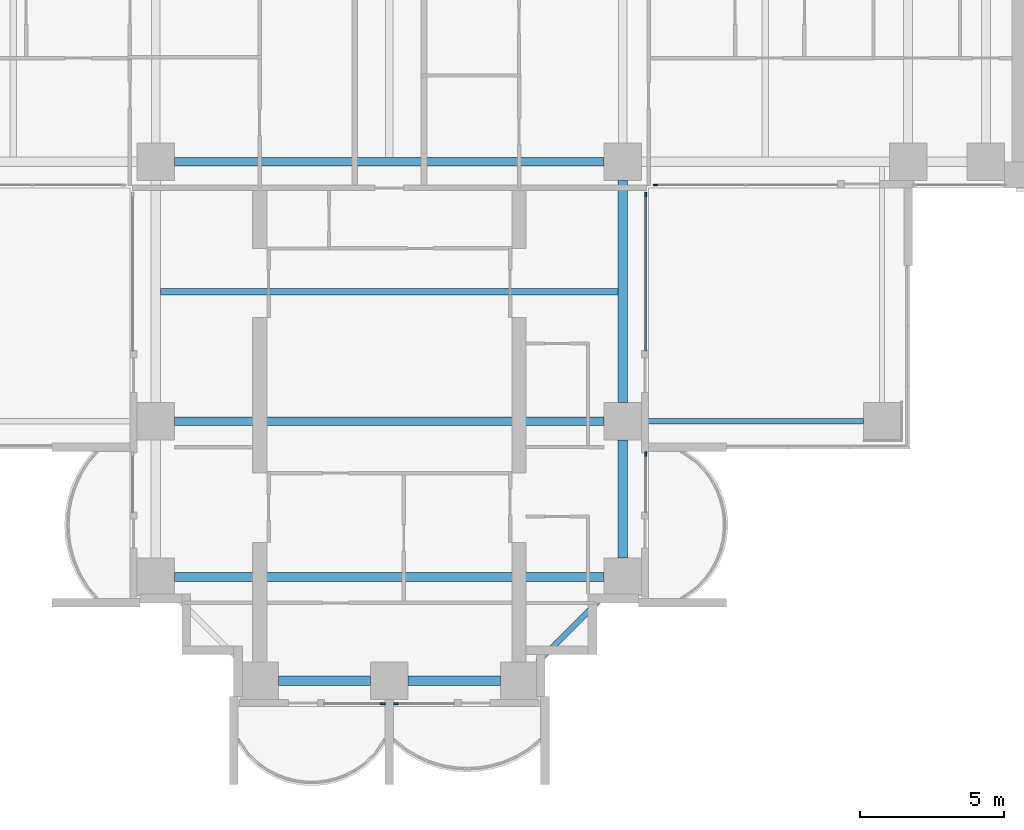
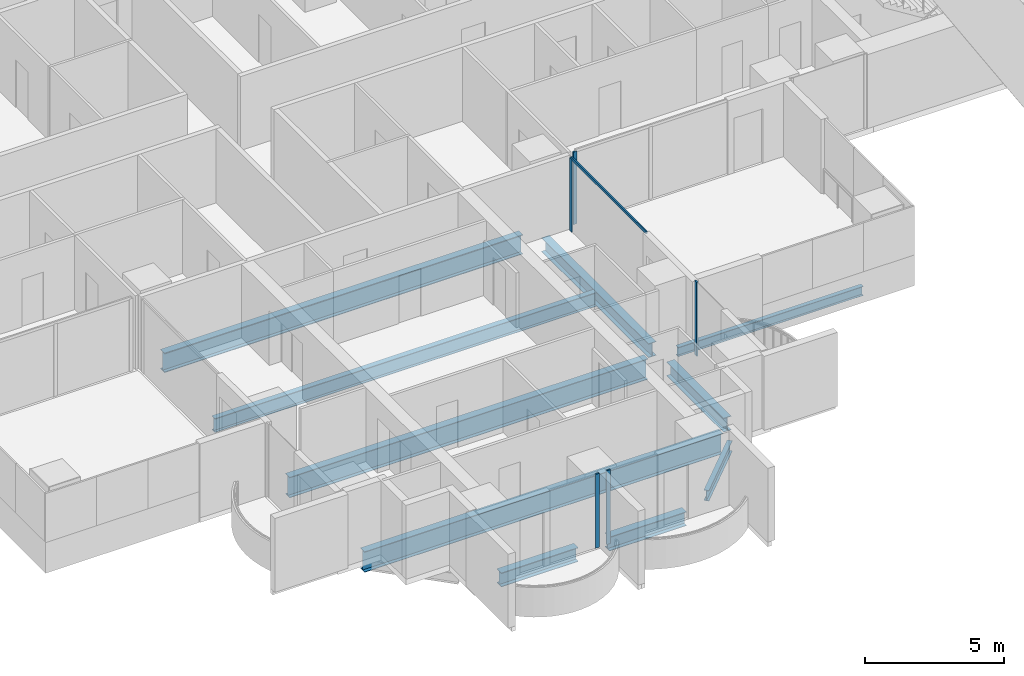
# One storey, part 3 of 22: 10 beams, 6 members, 5 elements without a shape of their own.
"""IFC4 building model written with IfcOpenShell, lengths in metres."""

from ifc_helpers import new_model, si_unit, direction, frame, origin, origin_2d, place, context, subcontext, project, spatial, rectangle, i_section, extrude, material, material_profile, profile_set, type_object, element, aggregate, save


model = new_model("IFC4")

# Units and contexts
model_context = context("Model", 3, precision=1e-05, world=origin(), true_north=direction((0.0, 1.0)))
body_context = subcontext(model_context, "Body", "Model", "MODEL_VIEW")
ifc_project = project(units=[si_unit("LENGTHUNIT", "METRE"), si_unit("AREAUNIT", "SQUARE_METRE"), si_unit("VOLUMEUNIT", "CUBIC_METRE"), si_unit("PLANEANGLEUNIT", "RADIAN"), si_unit("MASSUNIT", "GRAM", prefix="KILO")], contexts=[model_context])

# Site, building, storey
site_placement = place(None, origin())
site = spatial("IfcSite", under=ifc_project, at=site_placement, CompositionType="ELEMENT")
building_placement = place(site_placement, origin())
building = spatial("IfcBuilding", under=site, at=building_placement, Name="Perihelion Cross Residences", CompositionType="ELEMENT")
storey_placement = place(building_placement, frame((0.0, 0.0, 50.5)))
storey = spatial("IfcBuildingStorey", under=building, at=storey_placement, Name="L09", CompositionType="ELEMENT", Elevation=50.5)

# Curtain wall, member
ifc_material_1 = material(Name="Bronze anodised aluminium, tinted glazing", Category="aluminium")
curtain_wall_type = type_object("IfcCurtainWallType", Name="CW1", PredefinedType="NOTDEFINED", material=ifc_material_1)
curtain_wall_1_placement = place(storey_placement, origin())
curtain_wall_1 = element("IfcCurtainWall", 1, at=curtain_wall_1_placement, inside=storey, type_object=curtain_wall_type, Name="Curtain wall CW1 L09 south tip south bay 1", PredefinedType="NOTDEFINED")
ifc_material_2 = material(Name="Bronze anodised aluminium", Category="aluminium")
ifc_material_profile_1 = material_profile(ifc_material_2, rectangle(XDim=0.06005859375, YDim=0.159912109375, at=origin_2d()), Name="CW1 mullion")
ifc_profile_set_1 = profile_set([ifc_material_profile_1], Name="Bronze anodised aluminium")
member_type_1 = type_object("IfcMemberType", Name="CW1 mullion", PredefinedType="MULLION", material=ifc_profile_set_1)
member_1_placement = place(storey_placement, frame((-0.22998046875, -26.89990234375, 0.0), z_axis=(0.0, 0.0, 1.0), x_axis=(0.0, 1.0, 0.0)))
member_1 = element("IfcMember", 2, at=member_1_placement, type_object=member_type_1, Name="CW1 mullion 2", PredefinedType="MULLION", context=body_context, shape_type="SweptSolid", body=[
    extrude(rectangle(XDim=0.06005859375, YDim=0.159912109375, at=origin_2d()), origin(), (0.0, 0.0, 1.0), 3.25),
])
aggregate(curtain_wall_1, [member_1])

curtain_wall_2_placement = place(storey_placement, origin())
curtain_wall_2 = element("IfcCurtainWall", 3, at=curtain_wall_2_placement, inside=storey, type_object=curtain_wall_type, Name="Curtain wall CW1 L09 south tip south bay 2", PredefinedType="NOTDEFINED")
member_2_placement = place(storey_placement, frame((0.22998046875, -26.89990234375, 0.0), z_axis=(0.0, 0.0, 1.0), x_axis=(0.0, 1.0, 0.0)))
member_2 = element("IfcMember", 4, at=member_2_placement, type_object=member_type_1, Name="CW1 mullion 1", PredefinedType="MULLION", context=body_context, shape_type="SweptSolid", body=[
    extrude(rectangle(XDim=0.06005859375, YDim=0.159912109375, at=origin_2d()), origin(), (0.0, 0.0, 1.0), 3.25),
])
aggregate(curtain_wall_2, [member_2])

curtain_wall_3_placement = place(storey_placement, origin())
curtain_wall_3 = element("IfcCurtainWall", 5, at=curtain_wall_3_placement, inside=storey, type_object=curtain_wall_type, Name="Curtain wall CW1 L09 south side east bay 1", PredefinedType="NOTDEFINED")
member_3_placement = place(storey_placement, frame((8.89990234375, -18.22998046875, 0.0), z_axis=(0.0, 0.0, 1.0), x_axis=(-1.0, 0.0, 0.0)))
member_3 = element("IfcMember", 6, at=member_3_placement, type_object=member_type_1, Name="CW1 mullion 2", PredefinedType="MULLION", context=body_context, shape_type="SweptSolid", body=[
    extrude(rectangle(XDim=0.06005859375, YDim=0.159912109375, at=origin_2d()), origin(), (0.0, 0.0, 1.0), 3.25),
])
aggregate(curtain_wall_3, [member_3])

curtain_wall_4_placement = place(storey_placement, origin())
curtain_wall_4 = element("IfcCurtainWall", 7, at=curtain_wall_4_placement, inside=storey, type_object=curtain_wall_type, Name="Curtain wall CW1 L09 south side east bay 2", PredefinedType="NOTDEFINED")
member_4_placement = place(storey_placement, frame((8.89990234375, -9.22998046875, 0.0), z_axis=(0.0, 0.0, 1.0), x_axis=(-1.0, 0.0, 0.0)))
member_4 = element("IfcMember", 8, at=member_4_placement, type_object=member_type_1, Name="CW1 mullion 2", PredefinedType="MULLION", context=body_context, shape_type="SweptSolid", body=[
    extrude(rectangle(XDim=0.06005859375, YDim=0.159912109375, at=origin_2d()), origin(), (0.0, 0.0, 1.0), 3.18994140625),
])

curtain_wall_5_placement = place(storey_placement, origin())
curtain_wall_5 = element("IfcCurtainWall", 9, at=curtain_wall_5_placement, inside=storey, type_object=curtain_wall_type, Name="Curtain wall CW1 L09 east side south bay 1", PredefinedType="NOTDEFINED")
member_5_placement = place(storey_placement, frame((9.22998046875, -8.89990234375, 0.0), z_axis=(0.0, 0.0, 1.0), x_axis=(0.0, 1.0, 0.0)))
member_5 = element("IfcMember", 10, at=member_5_placement, type_object=member_type_1, Name="CW1 mullion 1", PredefinedType="MULLION", context=body_context, shape_type="SweptSolid", body=[
    extrude(rectangle(XDim=0.06005859375, YDim=0.159912109375, at=origin_2d()), origin(), (0.0, 0.0, 1.0), 3.18994140625),
])
aggregate(curtain_wall_5, [member_5])

# Member
ifc_material_3 = material(Name="Bronze anodised aluminium", Category="aluminium")
ifc_material_profile_2 = material_profile(ifc_material_3, rectangle(XDim=0.06005859375, YDim=0.1201171875, at=origin_2d()), Name="CW1 transom")
ifc_profile_set_2 = profile_set([ifc_material_profile_2], Name="Bronze anodised aluminium")
member_type_2 = type_object("IfcMemberType", Name="CW1 transom", PredefinedType="USERDEFINED", material=ifc_profile_set_2)
member_6_placement = place(storey_placement, frame((8.89990234375, -14.64990234375, 3.219970703125), z_axis=(0.0, 1.0, 0.0), x_axis=(-1.0, 0.0, 0.0)))
member_6 = element("IfcMember", 11, at=member_6_placement, type_object=member_type_2, Name="CW1 head transom", ObjectType="TRANSOM", PredefinedType="USERDEFINED", context=body_context, shape_type="SweptSolid", body=[
    extrude(rectangle(XDim=0.06005859375, YDim=0.1201171875, at=origin_2d()), origin(), (0.0, 0.0, 1.0), 5.419921875),
])

aggregate(curtain_wall_4, [member_4, member_6])

# Beams
ifc_material_4 = material(Name="Steel S355", Category="steel")
ifc_material_profile_3 = material_profile(ifc_material_4, i_section(OverallWidth=0.177978515625, OverallDepth=0.406005859375, WebThickness=0.0078125, FlangeThickness=0.0126953125, at=origin_2d()), Name="W410x60")
ifc_profile_set_3 = profile_set([ifc_material_profile_3], Name="Steel S355")
beam_type_1 = type_object("IfcBeamType", Name="Core edge beam W410x60", PredefinedType="BEAM", material=ifc_profile_set_3)
beam_1_placement = place(storey_placement, frame((8.75, -17.10009765625, -0.452880859375), z_axis=(1.0, 0.0, 0.0), x_axis=(0.0, 1.0, 0.0)))
element("IfcBeam", 12, at=beam_1_placement, inside=storey, type_object=beam_type_1, Name="Core edge beam TB2 L09 corner no. 6", PredefinedType="BEAM", context=body_context, shape_type="SweptSolid", body=[
    extrude(i_section(OverallWidth=0.177978515625, OverallDepth=0.406005859375, WebThickness=0.0078125, FlangeThickness=0.0126953125, at=origin_2d()), origin(), (0.0, 0.0, 1.0), 7.699951171875),
])
ifc_material_5 = material(Name="Steel S355", Category="steel")
ifc_material_profile_4 = material_profile(ifc_material_5, i_section(OverallWidth=0.324951171875, OverallDepth=0.616943359375, WebThickness=0.013916015625, FlangeThickness=0.021484375, at=origin_2d()), Name="W610x174")
ifc_profile_set_4 = profile_set([ifc_material_profile_4], Name="Steel S355")
beam_type_2 = type_object("IfcBeamType", Name="Edge beam W610x174", PredefinedType="SPANDREL", material=ifc_profile_set_4)
for number, where, z_axis, x_axis, name in (
    (13, (-3.85009765625, -26.10009765625, -0.55859375), (1.0, 0.0, 0.0), (0.0, 1.0, 0.0), "Edge beam SB2 L09 no. 4"),
    (14, (0.64990234375, -26.10009765625, -0.55859375), (1.0, 0.0, 0.0), (0.0, 1.0, 0.0), "Edge beam SB2 L09 no. 10"),
):
    element("IfcBeam", number, at=place(storey_placement, frame(where, z_axis=z_axis, x_axis=x_axis)), inside=storey, type_object=beam_type_2, Name=name, PredefinedType="SPANDREL", context=body_context, shape_type="SweptSolid", body=[
        extrude(i_section(OverallWidth=0.324951171875, OverallDepth=0.616943359375, WebThickness=0.013916015625, FlangeThickness=0.021484375, at=origin_2d()), origin(), (0.0, 0.0, 1.0), 3.2001953125),
    ])
beam_2_placement = place(storey_placement, frame((8.10009765625, -21.85009765625, -0.55859375), z_axis=(0.0, 1.0, 0.0), x_axis=(-1.0, 0.0, 0.0)))
element("IfcBeam", 15, at=beam_2_placement, inside=storey, type_object=beam_type_2, Name="Edge beam SB2 L09 no. 17", PredefinedType="SPANDREL", context=body_context, shape_type="SweptSolid", body=[
    extrude(i_section(OverallWidth=0.324951171875, OverallDepth=0.616943359375, WebThickness=0.013916015625, FlangeThickness=0.021484375, at=origin_2d()), origin(), (0.0, 0.0, 1.0), 4.10009765625),
])
beam_3_placement = place(storey_placement, frame((8.10009765625, -16.449951171875, -0.55859375), z_axis=(0.0, 1.0, 0.0), x_axis=(-1.0, 0.0, 0.0)))
element("IfcBeam", 16, at=beam_3_placement, inside=storey, type_object=beam_type_2, Name="Edge beam SB2 L09 no. 16", PredefinedType="SPANDREL", context=body_context, shape_type="SweptSolid", body=[
    extrude(i_section(OverallWidth=0.324951171875, OverallDepth=0.616943359375, WebThickness=0.013916015625, FlangeThickness=0.021484375, at=origin_2d()), origin(), (0.0, 0.0, 1.0), 7.699951171875),
])
ifc_material_6 = material(Name="Steel S355", Category="steel")
ifc_material_profile_5 = material_profile(ifc_material_6, i_section(OverallWidth=0.304931640625, OverallDepth=0.904052734375, WebThickness=0.01513671875, FlangeThickness=0.02001953125, at=origin_2d()), Name="W920x201")
ifc_profile_set_5 = profile_set([ifc_material_profile_5], Name="Steel S355")
beam_type_3 = type_object("IfcBeamType", Name="Floor girder W920x201", PredefinedType="BEAM", material=ifc_profile_set_5)
for number, where, z_axis, x_axis, name in (
    (17, (-7.449951171875, -17.10009765625, -0.701904296875), (1.0, 0.0, 0.0), (0.0, 1.0, 0.0), "Girder G2 L09 no. 3"),
    (18, (-7.449951171875, -22.5, -0.701904296875), (1.0, 0.0, 0.0), (0.0, 1.0, 0.0), "Girder G2 L09 no. 4"),
):
    element("IfcBeam", number, at=place(storey_placement, frame(where, z_axis=z_axis, x_axis=x_axis)), inside=storey, type_object=beam_type_3, Name=name, PredefinedType="BEAM", context=body_context, shape_type="SweptSolid", body=[
        extrude(i_section(OverallWidth=0.304931640625, OverallDepth=0.904052734375, WebThickness=0.01513671875, FlangeThickness=0.02001953125, at=origin_2d()), origin(), (0.0, 0.0, 1.0), 14.89990234375),
    ])
ifc_material_7 = material(Name="Steel S355", Category="steel")
ifc_material_profile_6 = material_profile(ifc_material_7, i_section(OverallWidth=0.22900390625, OverallDepth=0.612060546875, WebThickness=0.011962890625, FlangeThickness=0.01953125, at=origin_2d()), Name="W610x125")
ifc_profile_set_6 = profile_set([ifc_material_profile_6], Name="Steel S355")
beam_type_4 = type_object("IfcBeamType", Name="Floor joist W610x125", PredefinedType="JOIST", material=ifc_profile_set_6)
beam_4_placement = place(storey_placement, frame((-7.9375, -12.60009765625, -0.555908203125), z_axis=(1.0, 0.0, 0.0), x_axis=(0.0, 1.0, 0.0)))
element("IfcBeam", 19, at=beam_4_placement, inside=storey, type_object=beam_type_4, Name="Joist J3 L09 no. 3", PredefinedType="JOIST", context=body_context, shape_type="SweptSolid", body=[
    extrude(i_section(OverallWidth=0.22900390625, OverallDepth=0.612060546875, WebThickness=0.011962890625, FlangeThickness=0.01953125, at=origin_2d()), origin(), (0.0, 0.0, 1.0), 15.875),
])
ifc_material_8 = material(Name="Steel S355", Category="steel")
ifc_material_profile_7 = material_profile(ifc_material_8, i_section(OverallWidth=0.2919921875, OverallDepth=0.85888671875, WebThickness=0.01708984375, FlangeThickness=0.031005859375, at=origin_2d()), Name="W840x251")
ifc_profile_set_7 = profile_set([ifc_material_profile_7], Name="Steel S355")
beam_type_5 = type_object("IfcBeamType", Name="Hub ring girder W840x251", PredefinedType="BEAM", material=ifc_profile_set_7)
beam_5_placement = place(storey_placement, frame((-7.449951171875, -8.10009765625, -0.679443359375), z_axis=(1.0, 0.0, 0.0), x_axis=(0.0, 1.0, 0.0)))
element("IfcBeam", 20, at=beam_5_placement, inside=storey, type_object=beam_type_5, Name="Hub ring girder RG2 L09 no. 1", PredefinedType="BEAM", context=body_context, shape_type="SweptSolid", body=[
    extrude(i_section(OverallWidth=0.2919921875, OverallDepth=0.85888671875, WebThickness=0.01708984375, FlangeThickness=0.031005859375, at=origin_2d()), origin(), (0.0, 0.0, 1.0), 14.89990234375),
])
ifc_material_9 = material(Name="Steel S355", Category="steel")
ifc_material_profile_8 = material_profile(ifc_material_9, i_section(OverallWidth=0.194091796875, OverallDepth=0.469970703125, WebThickness=0.0126953125, FlangeThickness=0.0205078125, at=origin_2d()), Name="W460x106")
ifc_profile_set_8 = profile_set([ifc_material_profile_8], Name="Steel S355")
beam_type_6 = type_object("IfcBeamType", Name="Serration edge beam W460x106", PredefinedType="BEAM", material=ifc_profile_set_8)
beam_6_placement = place(storey_placement, frame((5.14990234375, -25.449951171875, -0.485107421875), z_axis=(0.707106781187, 0.707106781187, 0.0), x_axis=(-0.707106781187, 0.707106781187, 0.0)))
element("IfcBeam", 21, at=beam_6_placement, inside=storey, type_object=beam_type_6, Name="Serration edge beam EB2 L09 no. 3", PredefinedType="BEAM", context=body_context, shape_type="SweptSolid", body=[
    extrude(i_section(OverallWidth=0.194091796875, OverallDepth=0.469970703125, WebThickness=0.0126953125, FlangeThickness=0.0205078125, at=origin_2d()), origin(), (0.0, 0.0, 1.0), 3.252685546875),
])

save(model, "model.ifc")
